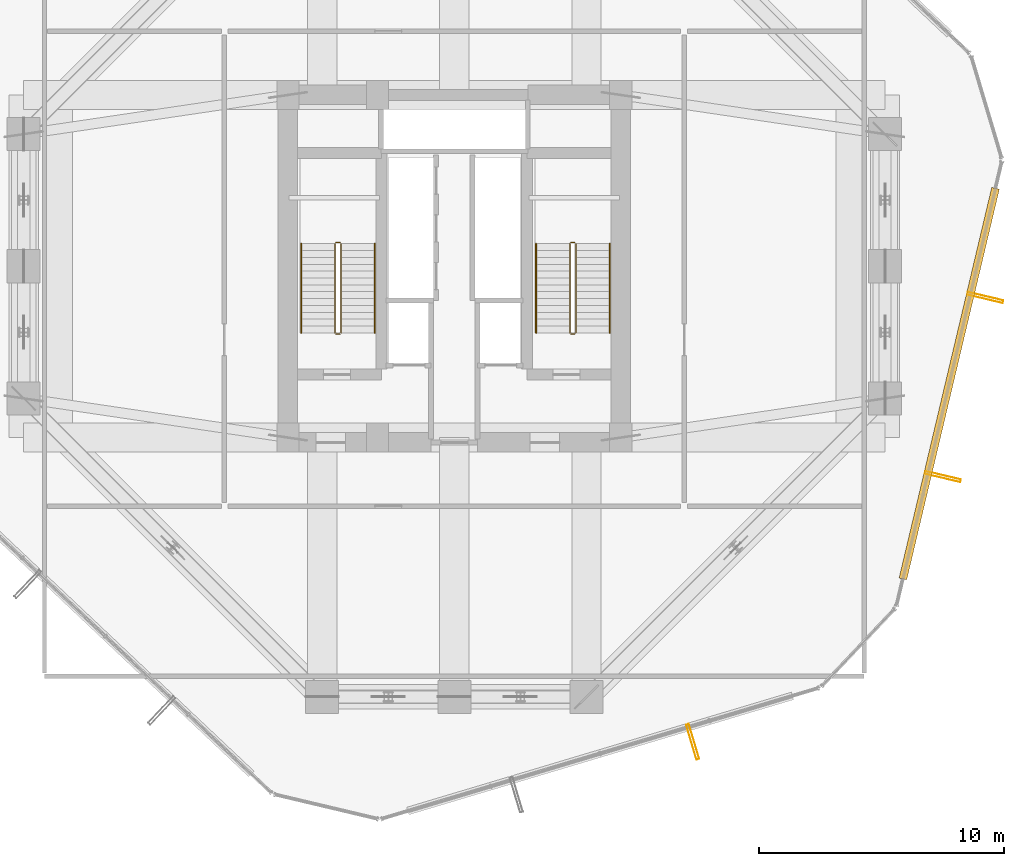
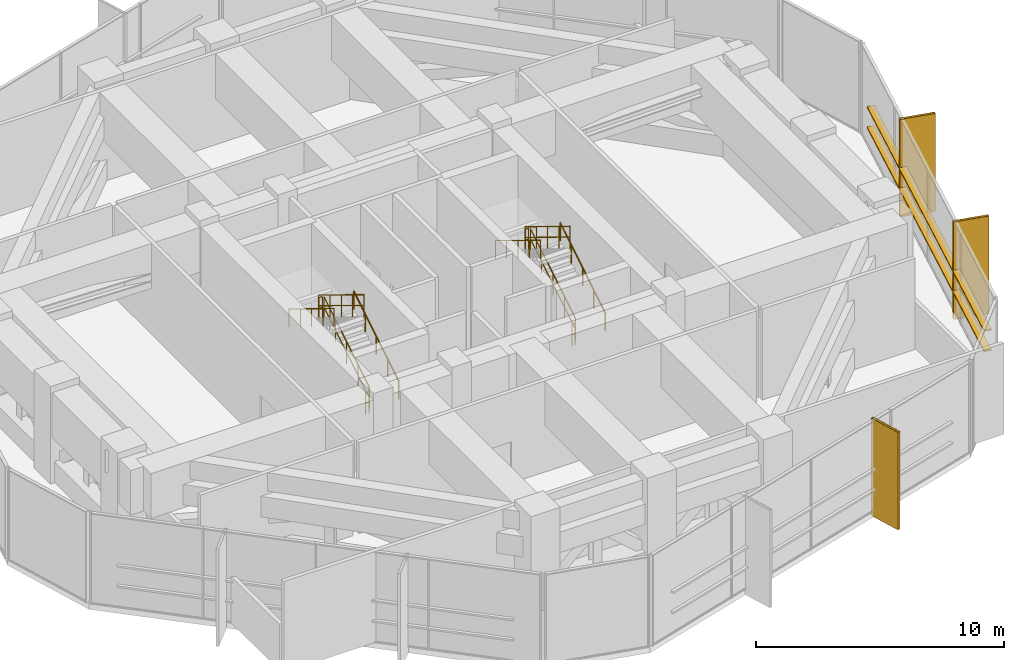
# One storey, part 40 of 41: 12 railings, 5 shading devices.
"""IFC4 building model written with IfcOpenShell, lengths in metres."""

import ifcopenshell
import ifcopenshell.guid

model = None  # the IFC model being written
_history = None  # IfcOwnerHistory: only IFC2X3 demands one
_inside = {}  # id of a spatial element -> (the spatial element, [elements in it])
_under = {}  # id of a project, library or spatial element -> (it, [spatial elements below it])
_declared = {}  # id of a project -> (the project, [libraries it declares])
_typed = {}  # id of a type object -> (the type object, [elements of that type])
_made_of = {}  # id of a material, layer set ... -> (it, [elements and type objects made of it])


def new_model(schema):
    """Start an empty IFC model of exactly this schema.

    Asked for "IFC4X3", IfcOpenShell would pick the latest addendum, in which some entities
    have other attributes; the version numbers below select the first issue.
    IFC2X3 requires an IfcOwnerHistory on every rooted entity: one is made here for all.
    """
    global model, _history
    if schema == "IFC4X3":
        model = ifcopenshell.file(schema_version=(4, 3, 0, 0))
    else:
        model = ifcopenshell.file(schema=schema)
    _inside.clear()
    _under.clear()
    _declared.clear()
    _typed.clear()
    _made_of.clear()
    _history = None
    if model.schema == "IFC2X3":
        org = make("IfcOrganization", Name="unknown")
        user = make(
            "IfcPersonAndOrganization",
            ThePerson=make("IfcPerson", FamilyName="unknown"),
            TheOrganization=org,
        )
        app = make(
            "IfcApplication",
            ApplicationDeveloper=org,
            Version="unknown",
            ApplicationFullName="unknown",
            ApplicationIdentifier="unknown",
        )
        _history = make(
            "IfcOwnerHistory",
            OwningUser=user,
            OwningApplication=app,
            ChangeAction="ADDED",
            CreationDate=0,
        )
    return model


def make(cls, **values):
    """One entity of the class cls with the attributes given. An attribute that is None is left unset."""
    return model.create_entity(
        cls, **{name: value for name, value in values.items() if value is not None}
    )


def rooted(cls, **values):
    """An entity with a GlobalId (a new one), such as an element, a storey or a relation."""
    return make(cls, GlobalId=ifcopenshell.guid.new(), OwnerHistory=_history, **values)


def si_unit(unit_type, name, prefix=None):
    """IfcSIUnit, for example si_unit("LENGTHUNIT", "METRE", prefix="MILLI")."""
    return make("IfcSIUnit", UnitType=unit_type, Prefix=prefix, Name=name)


def assignment(units):
    """IfcUnitAssignment: the units of a project."""
    return None if units is None else make("IfcUnitAssignment", Units=units)


def point(xyz):
    """IfcCartesianPoint."""
    return None if xyz is None else make("IfcCartesianPoint", Coordinates=xyz)


def direction(xyz):
    """IfcDirection."""
    return None if xyz is None else make("IfcDirection", DirectionRatios=xyz)


def frame(location, z_axis=None, x_axis=None):
    """IfcAxis2Placement3D, a coordinate frame: its origin and axes. An axis left out is left unset."""
    return make(
        "IfcAxis2Placement3D",
        Location=point(location),
        Axis=direction(z_axis),
        RefDirection=direction(x_axis),
    )


def frame_2d(location, x_axis=None):
    """IfcAxis2Placement2D, a coordinate frame in the plane: its origin and x axis."""
    return make(
        "IfcAxis2Placement2D", Location=point(location), RefDirection=direction(x_axis)
    )


def origin():
    """The frame at (0, 0, 0) with its axes left unset."""
    return frame((0.0, 0.0, 0.0))


def origin_2d():
    """The frame at (0, 0) in the plane with its x axis left unset."""
    return frame_2d((0.0, 0.0))


def place(relative_to, where):
    """IfcLocalPlacement: puts the frame where relative to a parent placement (None: the world)."""
    return make(
        "IfcLocalPlacement", PlacementRelTo=relative_to, RelativePlacement=where
    )


def context(
    kind, dimensions, precision=None, world=None, true_north=None, identifier=None
):
    """IfcGeometricRepresentationContext, for example the 3D "Model" context."""
    return make(
        "IfcGeometricRepresentationContext",
        ContextIdentifier=identifier,
        ContextType=kind,
        CoordinateSpaceDimension=dimensions,
        Precision=precision,
        WorldCoordinateSystem=world,
        TrueNorth=true_north,
    )


def subcontext(parent, identifier, kind, view, scale=None):
    """IfcGeometricRepresentationSubContext, for example "Body" below "Model"."""
    return make(
        "IfcGeometricRepresentationSubContext",
        ContextIdentifier=identifier,
        ContextType=kind,
        ParentContext=parent,
        TargetScale=scale,
        TargetView=view,
    )


def project(units=None, contexts=None):
    """IfcProject with its units and contexts."""
    return rooted(
        "IfcProject",
        Name="project",
        RepresentationContexts=contexts,
        UnitsInContext=assignment(units),
    )


def spatial(cls, under=None, at=None, **own):
    """A site, building, storey or space (cls), placed at a placement, below another one or the project."""
    s = rooted(cls, ObjectPlacement=at, **own)
    if under is not None:
        _under.setdefault(under.id(), (under, []))[1].append(s)
    return s


def profile(cls, at=None, kind="AREA", **sizes):
    """A parametric profile (cls). Its sizes go by their IFC names, for example OverallWidth=200.0."""
    return make(cls, ProfileType=kind, Position=at, **sizes)


def hollow_rectangle(**sizes):
    """IfcRectangleHollowProfileDef."""
    return profile("IfcRectangleHollowProfileDef", **sizes)


def circle(**sizes):
    """IfcCircleProfileDef."""
    return profile("IfcCircleProfileDef", **sizes)


def extrude(swept, where, along, depth):
    """IfcExtrudedAreaSolid: the profile swept, set in the frame where, extruded along a direction by depth."""
    return make(
        "IfcExtrudedAreaSolid",
        SweptArea=swept,
        Position=where,
        ExtrudedDirection=direction(along),
        Depth=depth,
    )


def shape(context_of_items, identifier, shape_type, items):
    """IfcShapeRepresentation: the items that make up one representation, for example the "Body"."""
    return make(
        "IfcShapeRepresentation",
        ContextOfItems=context_of_items,
        RepresentationIdentifier=identifier,
        RepresentationType=shape_type,
        Items=items,
    )


def material(Name=None, Category=None):
    """IfcMaterial."""
    return make("IfcMaterial", Name=Name, Category=Category)


def material_profile(
    of_material, cross_section, Name=None, Category=None, Priority=None
):
    """IfcMaterialProfile: a cross section and its material."""
    return make(
        "IfcMaterialProfile",
        Name=Name,
        Material=of_material,
        Profile=cross_section,
        Priority=Priority,
        Category=Category,
    )


def profile_set(profiles, Name=None, composite=None):
    """IfcMaterialProfileSet."""
    return make(
        "IfcMaterialProfileSet",
        Name=Name,
        MaterialProfiles=profiles,
        CompositeProfile=composite,
    )


def made_of(thing, what):
    """Note that an element or type object is made of a material, layer set ...; save() writes the relation."""
    if what is not None:
        _made_of.setdefault(what.id(), (what, []))[1].append(thing)
    return thing


def type_object(cls, material=None, **own):
    """A type object (cls), such as IfcWallType, which elements share."""
    return made_of(rooted(cls, **own), material)


def element(
    cls,
    number,
    at=None,
    inside=None,
    cuts=None,
    type_object=None,
    material=None,
    context=None,
    identifier="Body",
    shape_type=None,
    held_by="IfcProductDefinitionShape",
    body=None,
    shapes=None,
    **own,
):
    """One element of the class cls, such as IfcWall. Its Tag is "e" and its number.

    at: its placement. inside: the storey or other place that contains it. cuts: it is an
    opening in that element (IfcRelVoidsElement). A single representation is given by context,
    identifier, shape_type and body (its items); several are given by shapes. held_by: the class
    of the entity that holds the representations. save() writes the other relations.
    """
    e = rooted(cls, Tag="e%d" % number, ObjectPlacement=at, **own)
    if body is not None:
        shapes = [shape(context, identifier, shape_type, body)]
    if shapes is not None:
        e.Representation = make(held_by, Representations=shapes)
    if inside is not None:
        _inside.setdefault(inside.id(), (inside, []))[1].append(e)
    if cuts is not None:
        rooted(
            "IfcRelVoidsElement", RelatingBuildingElement=cuts, RelatedOpeningElement=e
        )
    if type_object is not None:
        _typed.setdefault(type_object.id(), (type_object, []))[1].append(e)
    return made_of(e, material)


def aggregate(whole, parts):
    """IfcRelAggregates: a whole, such as a stair, and the parts it consists of."""
    return rooted("IfcRelAggregates", RelatingObject=whole, RelatedObjects=parts)


def save(model, path):
    """Write the relations noted so far, then the file.

    IfcRelAggregates (storeys below a building ...), IfcRelContainedInSpatialStructure (elements
    in a storey), IfcRelDefinesByType, IfcRelAssociatesMaterial and IfcRelDeclares: one each for
    every whole, place, type object, material and project.
    """
    for whole, parts in _under.values():
        aggregate(whole, parts)
    for where, things in _inside.values():
        rooted(
            "IfcRelContainedInSpatialStructure",
            RelatedElements=things,
            RelatingStructure=where,
        )
    for kind, things in _typed.values():
        rooted("IfcRelDefinesByType", RelatedObjects=things, RelatingType=kind)
    for what, things in _made_of.values():
        rooted("IfcRelAssociatesMaterial", RelatedObjects=things, RelatingMaterial=what)
    for by, libraries in _declared.values():
        rooted("IfcRelDeclares", RelatingContext=by, RelatedDefinitions=libraries)
    model.write(path)


model = new_model("IFC4")

# Units and contexts
model_context = context("Model", 3, precision=1e-05, world=origin(), true_north=direction((0.0, 1.0)))
body_context = subcontext(model_context, "Body", "Model", "MODEL_VIEW")
ifc_project = project(units=[si_unit("LENGTHUNIT", "METRE"), si_unit("AREAUNIT", "SQUARE_METRE"), si_unit("VOLUMEUNIT", "CUBIC_METRE"), si_unit("PLANEANGLEUNIT", "RADIAN"), si_unit("MASSUNIT", "GRAM", prefix="KILO")], contexts=[model_context])

# Site, building, storey
site_placement = place(None, origin())
site = spatial("IfcSite", under=ifc_project, at=site_placement, CompositionType="ELEMENT")
building_placement = place(site_placement, origin())
building = spatial("IfcBuilding", under=site, at=building_placement, Name="Veraguas Prism Commons", CompositionType="ELEMENT")
storey_placement = place(building_placement, frame((0.0, 0.0, 80.35009765625)))
storey = spatial("IfcBuildingStorey", under=building, at=storey_placement, Name="L22", CompositionType="ELEMENT", Elevation=80.35009765625)

# Shading devices
ifc_material_1 = material(Name="Anodised aluminium EN AW-6063 T6", Category="aluminium")
ifc_material_profile_1 = material_profile(ifc_material_1, hollow_rectangle(XDim=0.1201171875, YDim=1.489990234375, WallThickness=0.006103515625, at=origin_2d()), Name="FIN120X1490X6")
ifc_profile_set_1 = profile_set([ifc_material_profile_1], Name="Anodised aluminium EN AW-6063 T6")
shading_device_type_1 = type_object("IfcShadingDeviceType", Name="Deep Pale-Metal Vertical Solar Fin 120x1490", PredefinedType="USERDEFINED", material=ifc_profile_set_1)
for number, where, z_axis, x_axis, name in (
    (1, (33.74072265625, 4.5673828125, -0.300048828125), (0.0, 0.0, 1.0), (0.958022876902, 0.286691763629, 0.0), "Vertical Pale-Metal Solar Fin L22-F5B"),
    (2, (43.964111328125, 15.40087890625, -0.300048828125), (0.0, 0.0, 1.0), (0.230729088093, 0.973018030618, 0.0), "Vertical Pale-Metal Solar Fin L22-F6A"),
    (3, (45.69970703125, 22.719482421875, -0.300048828125), (0.0, 0.0, 1.0), (0.230729088093, 0.973018030618, 0.0), "Vertical Pale-Metal Solar Fin L22-F6B"),
):
    element("IfcShadingDevice", number, at=place(storey_placement, frame(where, z_axis=z_axis, x_axis=x_axis)), inside=storey, type_object=shading_device_type_1, Name=name, ObjectType="FIN", PredefinedType="USERDEFINED", context=body_context, shape_type="SweptSolid", body=[
        extrude(hollow_rectangle(XDim=0.1201171875, YDim=1.489990234375, WallThickness=0.006103515625, at=origin_2d()), origin(), (0.0, 0.0, 1.0), 4.800048828125),
    ])
ifc_material_profile_2 = material_profile(ifc_material_1, hollow_rectangle(XDim=0.080078125, YDim=0.320068359375, WallThickness=0.00390625, at=origin_2d()), Name="LVR80X320X4")
ifc_profile_set_2 = profile_set([ifc_material_profile_2], Name="Anodised aluminium EN AW-6063 T6")
shading_device_type_2 = type_object("IfcShadingDeviceType", Name="Plant Room Acoustic Weather Louvre 80x320", PredefinedType="JALOUSIE", material=ifc_profile_set_2)
for number, where, z_axis, x_axis, name in (
    (4, (42.331298828125, 11.2236328125, 1.099853515625), (0.230730423382, 0.973017713984, 0.0), (0.0, 0.0, 1.0), "Plant Acoustic Weather Louvre L22-F6A"),
    (5, (42.331298828125, 11.2236328125, 2.099853515625), (0.230730423382, 0.973017713984, 0.0), (0.0, 0.0, 1.0), "Plant Acoustic Weather Louvre L22-F6B"),
):
    element("IfcShadingDevice", number, at=place(storey_placement, frame(where, z_axis=z_axis, x_axis=x_axis)), inside=storey, type_object=shading_device_type_2, Name=name, PredefinedType="JALOUSIE", context=body_context, shape_type="SweptSolid", body=[
        extrude(hollow_rectangle(XDim=0.080078125, YDim=0.320068359375, WallThickness=0.00390625, at=origin_2d()), origin(), (0.0, 0.0, 1.0), 16.404052734375),
    ])

# Railings
ifc_material_2 = material(Name="Stainless steel AISI 316", Category="steel")
railing_type_1 = type_object("IfcRailingType", Name="Stair and Ramp Stainless Handrail 900", PredefinedType="HANDRAIL", material=ifc_material_2)
railing_1_placement = place(storey_placement, frame((20.75, 21.280029296875, 0.17138671875)))
element("IfcRailing", 6, at=railing_1_placement, inside=storey, type_object=railing_type_1, Name="Stair Handrail ST-01 L22-1", PredefinedType="HANDRAIL", context=body_context, shape_type="SweptSolid", body=[
    extrude(circle(Radius=0.02392578125, at=origin_2d()), frame((0.0, 0.0, 0.8759765625), z_axis=(0.0, 0.852850264322, 0.5221555579), x_axis=(-1.0, 0.0, 0.0)), (0.0, 0.0, 1.0), 4.267822265625),
    extrude(circle(Radius=0.02099609375, at=origin_2d()), origin(), (0.0, 0.0, 1.0), 0.851806640625),
    extrude(circle(Radius=0.02099609375, at=origin_2d()), frame((0.0, 0.909912109375, 0.55712890625)), (0.0, 0.0, 1.0), 0.851806640625),
    extrude(circle(Radius=0.02099609375, at=origin_2d()), frame((0.0, 1.81982421875, 1.1142578125)), (0.0, 0.0, 1.0), 0.851806640625),
    extrude(circle(Radius=0.02099609375, at=origin_2d()), frame((0.0, 2.72998046875, 1.67138671875)), (0.0, 0.0, 1.0), 0.851806640625),
    extrude(circle(Radius=0.02099609375, at=origin_2d()), frame((0.0, 3.639892578125, 2.228515625)), (0.0, 0.0, 1.0), 0.851806640625),
])
railing_2_placement = place(storey_placement, frame((17.739990234375, 24.919921875, 2.5712890625)))
element("IfcRailing", 7, at=railing_2_placement, inside=storey, type_object=railing_type_1, Name="Stair Handrail ST-01 L22-2", PredefinedType="HANDRAIL", context=body_context, shape_type="SweptSolid", body=[
    extrude(circle(Radius=0.02392578125, at=origin_2d()), frame((0.0, 0.0, 0.8759765625), z_axis=(0.0, -0.852850264322, 0.5221555579), x_axis=(1.0, 0.0, 0.0)), (0.0, 0.0, 1.0), 4.267822265625),
    extrude(circle(Radius=0.02099609375, at=origin_2d()), origin(), (0.0, 0.0, 1.0), 0.851806640625),
    extrude(circle(Radius=0.02099609375, at=origin_2d()), frame((0.0, -0.909912109375, 0.55712890625)), (0.0, 0.0, 1.0), 0.851806640625),
    extrude(circle(Radius=0.02099609375, at=origin_2d()), frame((0.0, -1.81982421875, 1.1142578125)), (0.0, 0.0, 1.0), 0.851806640625),
    extrude(circle(Radius=0.02099609375, at=origin_2d()), frame((0.0, -2.72998046875, 1.67138671875)), (0.0, 0.0, 1.0), 0.851806640625),
    extrude(circle(Radius=0.02099609375, at=origin_2d()), frame((0.0, -3.639892578125, 2.228515625)), (0.0, 0.0, 1.0), 0.851806640625),
])
railing_3_placement = place(storey_placement, frame((30.35009765625, 21.280029296875, 0.17138671875)))
element("IfcRailing", 8, at=railing_3_placement, inside=storey, type_object=railing_type_1, Name="Stair Handrail ST-02 L22-1", PredefinedType="HANDRAIL", context=body_context, shape_type="SweptSolid", body=[
    extrude(circle(Radius=0.02392578125, at=origin_2d()), frame((0.0, 0.0, 0.8759765625), z_axis=(0.0, 0.852850264322, 0.5221555579), x_axis=(-1.0, 0.0, 0.0)), (0.0, 0.0, 1.0), 4.267822265625),
    extrude(circle(Radius=0.02099609375, at=origin_2d()), origin(), (0.0, 0.0, 1.0), 0.851806640625),
    extrude(circle(Radius=0.02099609375, at=origin_2d()), frame((0.0, 0.909912109375, 0.55712890625)), (0.0, 0.0, 1.0), 0.851806640625),
    extrude(circle(Radius=0.02099609375, at=origin_2d()), frame((0.0, 1.81982421875, 1.1142578125)), (0.0, 0.0, 1.0), 0.851806640625),
    extrude(circle(Radius=0.02099609375, at=origin_2d()), frame((0.0, 2.72998046875, 1.67138671875)), (0.0, 0.0, 1.0), 0.851806640625),
    extrude(circle(Radius=0.02099609375, at=origin_2d()), frame((0.0, 3.639892578125, 2.228515625)), (0.0, 0.0, 1.0), 0.851806640625),
])
railing_4_placement = place(storey_placement, frame((27.340087890625, 24.919921875, 2.5712890625)))
element("IfcRailing", 9, at=railing_4_placement, inside=storey, type_object=railing_type_1, Name="Stair Handrail ST-02 L22-2", PredefinedType="HANDRAIL", context=body_context, shape_type="SweptSolid", body=[
    extrude(circle(Radius=0.02392578125, at=origin_2d()), frame((0.0, 0.0, 0.8759765625), z_axis=(0.0, -0.852850264322, 0.5221555579), x_axis=(1.0, 0.0, 0.0)), (0.0, 0.0, 1.0), 4.267822265625),
    extrude(circle(Radius=0.02099609375, at=origin_2d()), origin(), (0.0, 0.0, 1.0), 0.851806640625),
    extrude(circle(Radius=0.02099609375, at=origin_2d()), frame((0.0, -0.909912109375, 0.55712890625)), (0.0, 0.0, 1.0), 0.851806640625),
    extrude(circle(Radius=0.02099609375, at=origin_2d()), frame((0.0, -1.81982421875, 1.1142578125)), (0.0, 0.0, 1.0), 0.851806640625),
    extrude(circle(Radius=0.02099609375, at=origin_2d()), frame((0.0, -2.72998046875, 1.67138671875)), (0.0, 0.0, 1.0), 0.851806640625),
    extrude(circle(Radius=0.02099609375, at=origin_2d()), frame((0.0, -3.639892578125, 2.228515625)), (0.0, 0.0, 1.0), 0.851806640625),
])
railing_type_2 = type_object("IfcRailingType", Name="Stairwell Safety Guardrail 1100", PredefinedType="GUARDRAIL", material=ifc_material_2)
railing_5_placement = place(storey_placement, frame((19.3701171875, 21.280029296875, 0.17138671875)))
element("IfcRailing", 10, at=railing_5_placement, inside=storey, type_object=railing_type_2, Name="Stair Guard ST-01 L22-1", PredefinedType="GUARDRAIL", context=body_context, shape_type="SweptSolid", body=[
    extrude(circle(Radius=0.02392578125, at=origin_2d()), frame((0.0, 0.0, 1.076171875), z_axis=(0.0, 0.852850264322, 0.5221555579), x_axis=(-1.0, 0.0, 0.0)), (0.0, 0.0, 1.0), 4.267822265625),
    extrude(circle(Radius=0.02392578125, at=origin_2d()), frame((0.0, 0.0, 0.550048828125), z_axis=(0.0, 0.852850264322, 0.5221555579), x_axis=(-1.0, 0.0, 0.0)), (0.0, 0.0, 1.0), 4.267822265625),
    extrude(circle(Radius=0.02099609375, at=origin_2d()), origin(), (0.0, 0.0, 1.0), 1.052001953125),
    extrude(circle(Radius=0.02099609375, at=origin_2d()), frame((0.0, 0.909912109375, 0.55712890625)), (0.0, 0.0, 1.0), 1.052001953125),
    extrude(circle(Radius=0.02099609375, at=origin_2d()), frame((0.0, 1.81982421875, 1.1142578125)), (0.0, 0.0, 1.0), 1.052001953125),
    extrude(circle(Radius=0.02099609375, at=origin_2d()), frame((0.0, 2.72998046875, 1.67138671875)), (0.0, 0.0, 1.0), 1.052001953125),
    extrude(circle(Radius=0.02099609375, at=origin_2d()), frame((0.0, 3.639892578125, 2.228515625)), (0.0, 0.0, 1.0), 1.052001953125),
])
railing_6_placement = place(storey_placement, frame((19.320068359375, 24.969970703125, 2.39990234375)))
element("IfcRailing", 11, at=railing_6_placement, inside=storey, type_object=railing_type_2, Name="Stair Guard ST-01 L22-2", PredefinedType="GUARDRAIL", context=body_context, shape_type="SweptSolid", body=[
    extrude(circle(Radius=0.02392578125, at=origin_2d()), frame((0.0, 0.0, 1.076171875), z_axis=(-1.0, 0.0, 0.0), x_axis=(0.0, -1.0, 0.0)), (0.0, 0.0, 1.0), 0.150146484375),
    extrude(circle(Radius=0.02392578125, at=origin_2d()), frame((0.0, 0.0, 0.550048828125), z_axis=(-1.0, 0.0, 0.0), x_axis=(0.0, -1.0, 0.0)), (0.0, 0.0, 1.0), 0.150146484375),
    extrude(circle(Radius=0.02099609375, at=origin_2d()), origin(), (0.0, 0.0, 1.0), 1.052001953125),
    extrude(circle(Radius=0.02099609375, at=origin_2d()), frame((-0.150146484375, 0.0, 0.0)), (0.0, 0.0, 1.0), 1.052001953125),
])
railing_7_placement = place(storey_placement, frame((19.1201171875, 24.919921875, 2.5712890625)))
element("IfcRailing", 12, at=railing_7_placement, inside=storey, type_object=railing_type_2, Name="Stair Guard ST-01 L22-3", PredefinedType="GUARDRAIL", context=body_context, shape_type="SweptSolid", body=[
    extrude(circle(Radius=0.02392578125, at=origin_2d()), frame((0.0, 0.0, 1.076171875), z_axis=(0.0, -0.852850264322, 0.5221555579), x_axis=(1.0, 0.0, 0.0)), (0.0, 0.0, 1.0), 4.267822265625),
    extrude(circle(Radius=0.02392578125, at=origin_2d()), frame((0.0, 0.0, 0.550048828125), z_axis=(0.0, -0.852850264322, 0.5221555579), x_axis=(1.0, 0.0, 0.0)), (0.0, 0.0, 1.0), 4.267822265625),
    extrude(circle(Radius=0.02099609375, at=origin_2d()), origin(), (0.0, 0.0, 1.0), 1.052001953125),
    extrude(circle(Radius=0.02099609375, at=origin_2d()), frame((0.0, -0.909912109375, 0.55712890625)), (0.0, 0.0, 1.0), 1.052001953125),
    extrude(circle(Radius=0.02099609375, at=origin_2d()), frame((0.0, -1.81982421875, 1.1142578125)), (0.0, 0.0, 1.0), 1.052001953125),
    extrude(circle(Radius=0.02099609375, at=origin_2d()), frame((0.0, -2.72998046875, 1.67138671875)), (0.0, 0.0, 1.0), 1.052001953125),
    extrude(circle(Radius=0.02099609375, at=origin_2d()), frame((0.0, -3.639892578125, 2.228515625)), (0.0, 0.0, 1.0), 1.052001953125),
])
railing_8_placement = place(storey_placement, frame((19.320068359375, 21.22998046875, 0.0)))
element("IfcRailing", 13, at=railing_8_placement, inside=storey, type_object=railing_type_2, Name="Stair Guard ST-01 L22-4", PredefinedType="GUARDRAIL", context=body_context, shape_type="SweptSolid", body=[
    extrude(circle(Radius=0.02392578125, at=origin_2d()), frame((0.0, 0.0, 1.076171875), z_axis=(-1.0, 0.0, 0.0), x_axis=(0.0, -1.0, 0.0)), (0.0, 0.0, 1.0), 0.150146484375),
    extrude(circle(Radius=0.02392578125, at=origin_2d()), frame((0.0, 0.0, 0.550048828125), z_axis=(-1.0, 0.0, 0.0), x_axis=(0.0, -1.0, 0.0)), (0.0, 0.0, 1.0), 0.150146484375),
    extrude(circle(Radius=0.02099609375, at=origin_2d()), origin(), (0.0, 0.0, 1.0), 1.052001953125),
    extrude(circle(Radius=0.02099609375, at=origin_2d()), frame((-0.150146484375, 0.0, 0.0)), (0.0, 0.0, 1.0), 1.052001953125),
])
railing_9_placement = place(storey_placement, frame((28.969970703125, 21.280029296875, 0.17138671875)))
element("IfcRailing", 14, at=railing_9_placement, inside=storey, type_object=railing_type_2, Name="Stair Guard ST-02 L22-1", PredefinedType="GUARDRAIL", context=body_context, shape_type="SweptSolid", body=[
    extrude(circle(Radius=0.02392578125, at=origin_2d()), frame((0.0, 0.0, 1.076171875), z_axis=(0.0, 0.852850264322, 0.5221555579), x_axis=(-1.0, 0.0, 0.0)), (0.0, 0.0, 1.0), 4.267822265625),
    extrude(circle(Radius=0.02392578125, at=origin_2d()), frame((0.0, 0.0, 0.550048828125), z_axis=(0.0, 0.852850264322, 0.5221555579), x_axis=(-1.0, 0.0, 0.0)), (0.0, 0.0, 1.0), 4.267822265625),
    extrude(circle(Radius=0.02099609375, at=origin_2d()), origin(), (0.0, 0.0, 1.0), 1.052001953125),
    extrude(circle(Radius=0.02099609375, at=origin_2d()), frame((0.0, 0.909912109375, 0.55712890625)), (0.0, 0.0, 1.0), 1.052001953125),
    extrude(circle(Radius=0.02099609375, at=origin_2d()), frame((0.0, 1.81982421875, 1.1142578125)), (0.0, 0.0, 1.0), 1.052001953125),
    extrude(circle(Radius=0.02099609375, at=origin_2d()), frame((0.0, 2.72998046875, 1.67138671875)), (0.0, 0.0, 1.0), 1.052001953125),
    extrude(circle(Radius=0.02099609375, at=origin_2d()), frame((0.0, 3.639892578125, 2.228515625)), (0.0, 0.0, 1.0), 1.052001953125),
])
railing_10_placement = place(storey_placement, frame((28.919921875, 24.969970703125, 2.39990234375)))
element("IfcRailing", 15, at=railing_10_placement, inside=storey, type_object=railing_type_2, Name="Stair Guard ST-02 L22-2", PredefinedType="GUARDRAIL", context=body_context, shape_type="SweptSolid", body=[
    extrude(circle(Radius=0.02392578125, at=origin_2d()), frame((0.0, 0.0, 1.076171875), z_axis=(-1.0, 0.0, 0.0), x_axis=(0.0, -1.0, 0.0)), (0.0, 0.0, 1.0), 0.14990234375),
    extrude(circle(Radius=0.02392578125, at=origin_2d()), frame((0.0, 0.0, 0.550048828125), z_axis=(-1.0, 0.0, 0.0), x_axis=(0.0, -1.0, 0.0)), (0.0, 0.0, 1.0), 0.14990234375),
    extrude(circle(Radius=0.02099609375, at=origin_2d()), origin(), (0.0, 0.0, 1.0), 1.052001953125),
    extrude(circle(Radius=0.02099609375, at=origin_2d()), frame((-0.14990234375, 0.0, 0.0)), (0.0, 0.0, 1.0), 1.052001953125),
])
railing_11_placement = place(storey_placement, frame((28.719970703125, 24.919921875, 2.5712890625)))
element("IfcRailing", 16, at=railing_11_placement, inside=storey, type_object=railing_type_2, Name="Stair Guard ST-02 L22-3", PredefinedType="GUARDRAIL", context=body_context, shape_type="SweptSolid", body=[
    extrude(circle(Radius=0.02392578125, at=origin_2d()), frame((0.0, 0.0, 1.076171875), z_axis=(0.0, -0.852850264322, 0.5221555579), x_axis=(1.0, 0.0, 0.0)), (0.0, 0.0, 1.0), 4.267822265625),
    extrude(circle(Radius=0.02392578125, at=origin_2d()), frame((0.0, 0.0, 0.550048828125), z_axis=(0.0, -0.852850264322, 0.5221555579), x_axis=(1.0, 0.0, 0.0)), (0.0, 0.0, 1.0), 4.267822265625),
    extrude(circle(Radius=0.02099609375, at=origin_2d()), origin(), (0.0, 0.0, 1.0), 1.052001953125),
    extrude(circle(Radius=0.02099609375, at=origin_2d()), frame((0.0, -0.909912109375, 0.55712890625)), (0.0, 0.0, 1.0), 1.052001953125),
    extrude(circle(Radius=0.02099609375, at=origin_2d()), frame((0.0, -1.81982421875, 1.1142578125)), (0.0, 0.0, 1.0), 1.052001953125),
    extrude(circle(Radius=0.02099609375, at=origin_2d()), frame((0.0, -2.72998046875, 1.67138671875)), (0.0, 0.0, 1.0), 1.052001953125),
    extrude(circle(Radius=0.02099609375, at=origin_2d()), frame((0.0, -3.639892578125, 2.228515625)), (0.0, 0.0, 1.0), 1.052001953125),
])
railing_12_placement = place(storey_placement, frame((28.919921875, 21.22998046875, 0.0)))
element("IfcRailing", 17, at=railing_12_placement, inside=storey, type_object=railing_type_2, Name="Stair Guard ST-02 L22-4", PredefinedType="GUARDRAIL", context=body_context, shape_type="SweptSolid", body=[
    extrude(circle(Radius=0.02392578125, at=origin_2d()), frame((0.0, 0.0, 1.076171875), z_axis=(-1.0, 0.0, 0.0), x_axis=(0.0, -1.0, 0.0)), (0.0, 0.0, 1.0), 0.14990234375),
    extrude(circle(Radius=0.02392578125, at=origin_2d()), frame((0.0, 0.0, 0.550048828125), z_axis=(-1.0, 0.0, 0.0), x_axis=(0.0, -1.0, 0.0)), (0.0, 0.0, 1.0), 0.14990234375),
    extrude(circle(Radius=0.02099609375, at=origin_2d()), origin(), (0.0, 0.0, 1.0), 1.052001953125),
    extrude(circle(Radius=0.02099609375, at=origin_2d()), frame((-0.14990234375, 0.0, 0.0)), (0.0, 0.0, 1.0), 1.052001953125),
])

save(model, "model.ifc")
